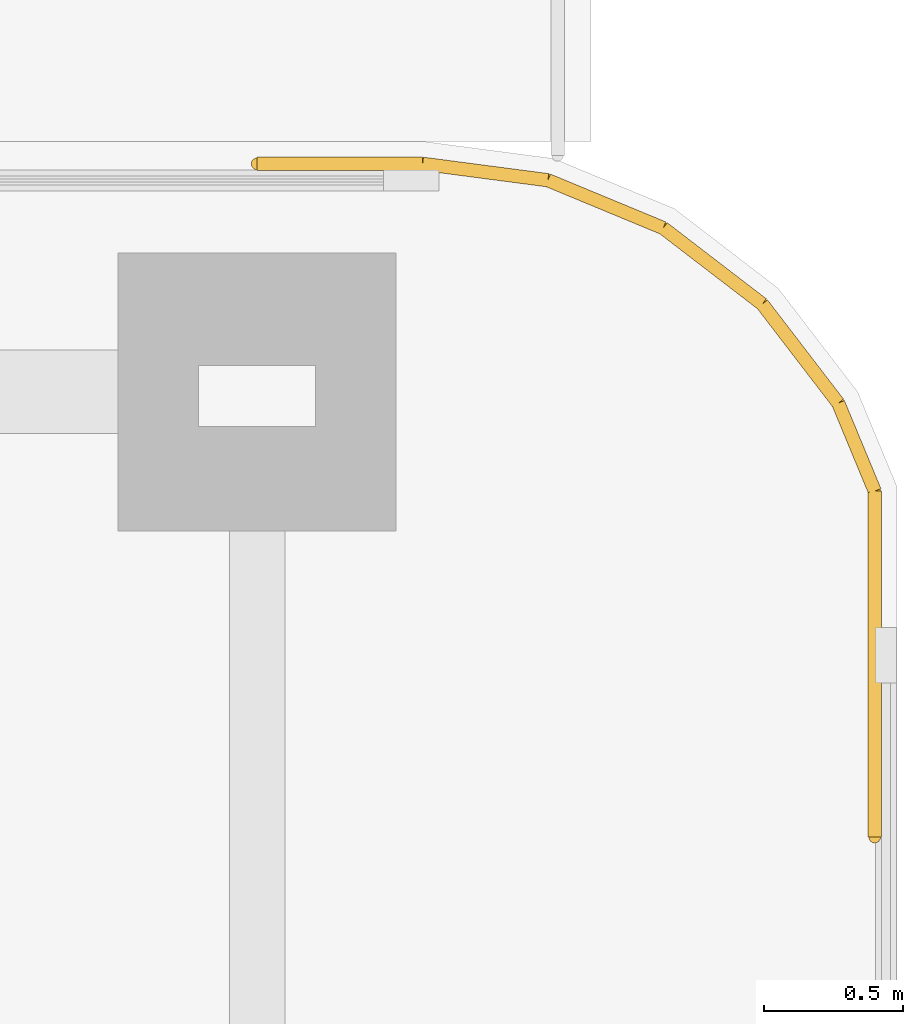
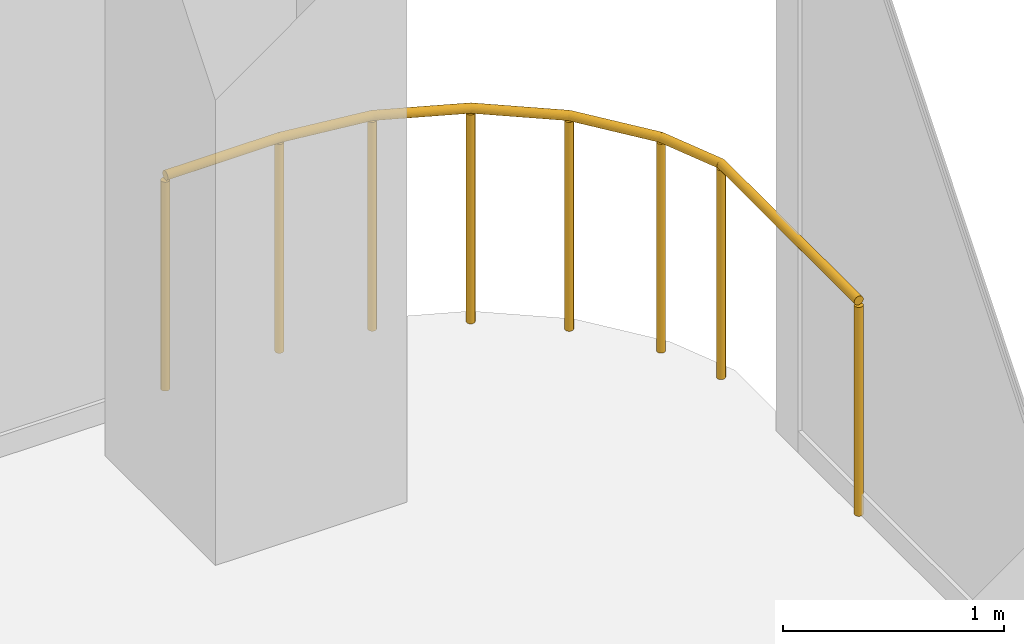
# One storey, part 32 of 32: 1 railing.
"""IFC4 building model written with IfcOpenShell, lengths in metres."""

from ifc_helpers import new_model, si_unit, direction, frame, origin, origin_2d, place, context, subcontext, project, spatial, circle, extrude, material, type_object, element, save


model = new_model("IFC4")

# Units and contexts
model_context = context("Model", 3, precision=1e-05, world=origin(), true_north=direction((0.0, 1.0)))
body_context = subcontext(model_context, "Body", "Model", "MODEL_VIEW")
ifc_project = project(units=[si_unit("LENGTHUNIT", "METRE"), si_unit("AREAUNIT", "SQUARE_METRE"), si_unit("VOLUMEUNIT", "CUBIC_METRE"), si_unit("PLANEANGLEUNIT", "RADIAN"), si_unit("MASSUNIT", "GRAM", prefix="KILO")], contexts=[model_context])

# Site, building, storey
site_placement = place(None, origin())
site = spatial("IfcSite", under=ifc_project, at=site_placement, CompositionType="ELEMENT")
building_placement = place(site_placement, origin())
building = spatial("IfcBuilding", under=site, at=building_placement, Name="Khairoan Windgate Tower", CompositionType="ELEMENT")
storey_placement = place(building_placement, frame((0.0, 0.0, 16.0)))
storey = spatial("IfcBuildingStorey", under=building, at=storey_placement, Name="L04", CompositionType="ELEMENT", Elevation=16.0)

# Railing
ifc_material = material(Name="Anodised Bronze Aluminium 6063-T6", Category="aluminium")
railing_type = type_object("IfcRailingType", Name="Aerodynamic Bronze-and-Glass Balustrade BAL-1200", PredefinedType="BALUSTRADE", material=ifc_material)
railing_placement = place(storey_placement, frame((34.199951171875, 26.219970703125, 0.0)))
element("IfcRailing", 1, at=railing_placement, inside=storey, type_object=railing_type, Name="L04 EN Corner Edge Guardrail", PredefinedType="BALUSTRADE", context=body_context, shape_type="SweptSolid", body=[
    extrude(circle(Radius=0.02392578125, at=origin_2d()), frame((0.0, 0.0, 1.17578125), z_axis=(1.0, 0.0, 0.0), x_axis=(0.0, 1.0, 0.0)), (0.0, 0.0, 1.0), 0.594970703125),
    extrude(circle(Radius=0.02392578125, at=origin_2d()), frame((0.594970703125, 0.0, 1.17578125), z_axis=(0.99149816219, -0.130120691567, 0.0), x_axis=(0.130120691567, 0.99149816219, 0.0)), (0.0, 0.0, 1.0), 0.4541015625),
    extrude(circle(Radius=0.02392578125, at=origin_2d()), frame((1.045166015625, -0.05908203125, 1.17578125), z_axis=(0.923751502528, -0.382992377962, 0.0), x_axis=(0.382992377962, 0.923751502528, 0.0)), (0.0, 0.0, 1.0), 0.44873046875),
    extrude(circle(Radius=0.02392578125, at=origin_2d()), frame((1.459716796875, -0.23095703125, 1.17578125), z_axis=(0.793290991681, -0.608842674685, 0.0), x_axis=(0.608842674685, 0.793290991681, 0.0)), (0.0, 0.0, 1.0), 0.44873046875),
    extrude(circle(Radius=0.02392578125, at=origin_2d()), frame((1.815673828125, -0.504150390625, 1.17578125), z_axis=(0.608579962418, -0.793492551536, 0.0), x_axis=(0.793492551536, 0.608579962418, 0.0)), (0.0, 0.0, 1.0), 0.448974609375),
    extrude(circle(Radius=0.02392578125, at=origin_2d()), frame((2.0888671875, -0.8603515625, 1.17578125), z_axis=(0.383044713365, -0.923729802249, 0.0), x_axis=(0.923729802249, 0.383044713365, 0.0)), (0.0, 0.0, 1.0), 0.34228515625),
    extrude(circle(Radius=0.02392578125, at=origin_2d()), frame((2.219970703125, -1.176513671875, 1.17578125), z_axis=(0.0, -1.0, 0.0), x_axis=(1.0, 0.0, 0.0)), (0.0, 0.0, 1.0), 1.243408203125),
    extrude(circle(Radius=0.02099609375, at=origin_2d()), origin(), (0.0, 0.0, 1.0), 1.15185546875),
    extrude(circle(Radius=0.02099609375, at=origin_2d()), frame((0.594970703125, 0.0, 0.0)), (0.0, 0.0, 1.0), 1.15185546875),
    extrude(circle(Radius=0.02099609375, at=origin_2d()), frame((1.045166015625, -0.05908203125, 0.0)), (0.0, 0.0, 1.0), 1.15185546875),
    extrude(circle(Radius=0.02099609375, at=origin_2d()), frame((1.459716796875, -0.23095703125, 0.0)), (0.0, 0.0, 1.0), 1.15185546875),
    extrude(circle(Radius=0.02099609375, at=origin_2d()), frame((1.815673828125, -0.504150390625, 0.0)), (0.0, 0.0, 1.0), 1.15185546875),
    extrude(circle(Radius=0.02099609375, at=origin_2d()), frame((2.0888671875, -0.8603515625, 0.0)), (0.0, 0.0, 1.0), 1.15185546875),
    extrude(circle(Radius=0.02099609375, at=origin_2d()), frame((2.219970703125, -1.176513671875, 0.0)), (0.0, 0.0, 1.0), 1.15185546875),
    extrude(circle(Radius=0.02099609375, at=origin_2d()), frame((2.219970703125, -2.419921875, 0.0)), (0.0, 0.0, 1.0), 1.15185546875),
])

save(model, "model.ifc")
